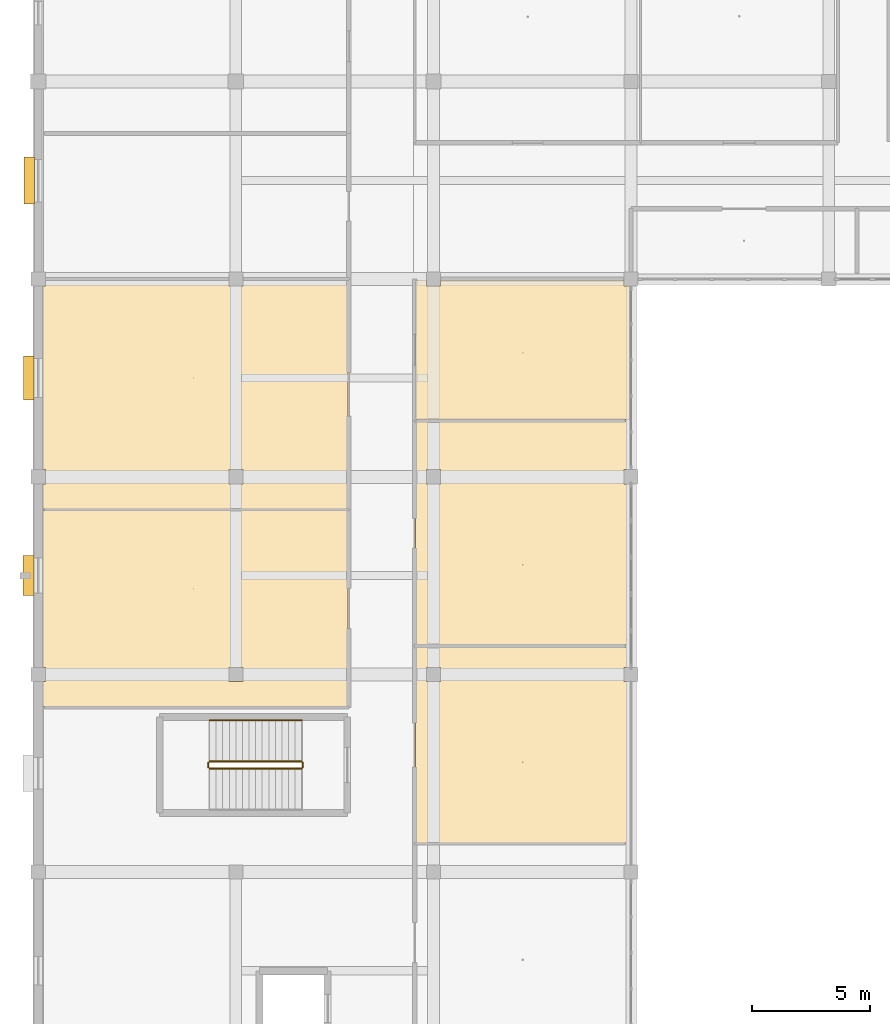
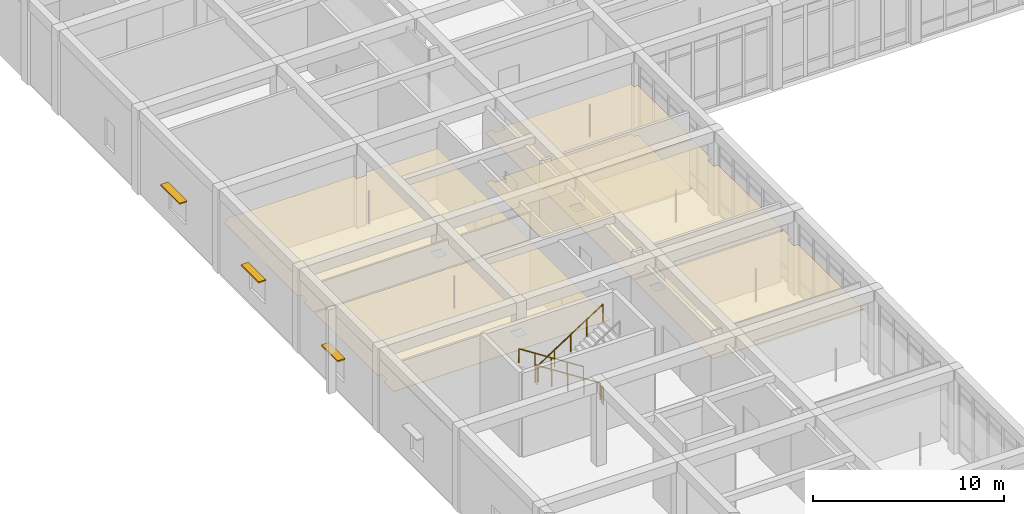
# One storey, part 137 of 157: 6 coverings, 5 railings, 3 shading devices.
"""IFC4 building model written with IfcOpenShell, lengths in metres."""

from ifc_helpers import new_model, si_unit, direction, frame, origin, origin_2d, place, context, subcontext, project, spatial, polyline, rectangle, circle, outline, extrude, material, layer, layer_set, type_object, element, save


model = new_model("IFC4")

# Units and contexts
model_context = context("Model", 3, precision=1e-05, world=origin(), true_north=direction((0.0, 1.0)))
body_context = subcontext(model_context, "Body", "Model", "MODEL_VIEW")
ifc_project = project(units=[si_unit("LENGTHUNIT", "METRE"), si_unit("AREAUNIT", "SQUARE_METRE"), si_unit("VOLUMEUNIT", "CUBIC_METRE"), si_unit("PLANEANGLEUNIT", "RADIAN"), si_unit("MASSUNIT", "GRAM", prefix="KILO")], contexts=[model_context])

# Site, building, storey
site_placement = place(None, origin())
site = spatial("IfcSite", under=ifc_project, at=site_placement, CompositionType="ELEMENT")
building_placement = place(site_placement, origin())
building = spatial("IfcBuilding", under=site, at=building_placement, Name="Varncliffe General Hospital", CompositionType="ELEMENT")
storey_placement = place(building_placement, frame((0.0, 0.0, 5.39990234375)))
storey = spatial("IfcBuildingStorey", under=building, at=storey_placement, Name="L01", CompositionType="ELEMENT", Elevation=5.39990234375)

# Coverings
ifc_material_1 = material(Name="Hygienic antimicrobial acoustic suspended ceiling tile", Category="gypsum")
ifc_layer_1 = layer(ifc_material_1, 0.02490234375)
ifc_layer_set_1 = layer_set([ifc_layer_1], Name="Hygienic antimicrobial acoustic suspended ceiling tile")
covering_type_1 = type_object("IfcCoveringType", Name="Antimicrobial Acoustic Suspended Ceiling CLG44", PredefinedType="CEILING", material=ifc_layer_set_1)
covering_1_placement = place(storey_placement, frame((0.0, 0.0, 3.175048828125)))
element("IfcCovering", 1, at=covering_1_placement, inside=storey, type_object=covering_type_1, Name="L01 Clinical Microbiology Laboratory 62 Suspended Ceiling", PredefinedType="CEILING", context=body_context, shape_type="SweptSolid", body=[
    extrude(outline(polyline([(0.0400390625, 72.9599609375), (13.159912109375, 72.9599609375), (13.159912109375, 64.639892578125), (0.0400390625, 64.639892578125), (0.0400390625, 65.699951171875), (0.300048828125, 65.699951171875), (0.300048828125, 66.300048828125), (0.0400390625, 66.300048828125), (0.0400390625, 72.9599609375)]), holes=[polyline([(8.699951171875, 65.699951171875), (8.699951171875, 66.300048828125), (8.10009765625, 66.300048828125), (8.10009765625, 65.699951171875), (8.699951171875, 65.699951171875)])]), origin(), (0.0, 0.0, 1.0), 0.025146484375),
])
covering_2_placement = place(storey_placement, frame((0.0, 0.0, 3.175048828125)))
element("IfcCovering", 2, at=covering_2_placement, inside=storey, type_object=covering_type_1, Name="L01 Clinical Pathology Laboratory 63 Suspended Ceiling", PredefinedType="CEILING", context=body_context, shape_type="SweptSolid", body=[
    extrude(outline(polyline([(13.159912109375, 73.0400390625), (0.0400390625, 73.0400390625), (0.0400390625, 74.10009765625), (0.300048828125, 74.10009765625), (0.300048828125, 74.699951171875), (0.0400390625, 74.699951171875), (0.0400390625, 82.5), (0.300048828125, 82.5), (0.300048828125, 82.760009765625), (8.10009765625, 82.760009765625), (8.10009765625, 82.5), (8.699951171875, 82.5), (8.699951171875, 82.760009765625), (13.159912109375, 82.760009765625), (13.159912109375, 73.0400390625)]), holes=[polyline([(8.699951171875, 74.10009765625), (8.699951171875, 74.699951171875), (8.10009765625, 74.699951171875), (8.10009765625, 74.10009765625), (8.699951171875, 74.10009765625)])]), origin(), (0.0, 0.0, 1.0), 0.025146484375),
])
covering_3_placement = place(storey_placement, frame((0.0, 0.0, 3.175048828125)))
element("IfcCovering", 3, at=covering_3_placement, inside=storey, type_object=covering_type_1, Name="L01 Clinical Microbiology Laboratory 66 Suspended Ceiling", PredefinedType="CEILING", context=body_context, shape_type="SweptSolid", body=[
    extrude(outline(polyline([(25.159912109375, 58.840087890625), (16.0400390625, 58.840087890625), (16.0400390625, 67.159912109375), (25.159912109375, 67.159912109375), (25.159912109375, 66.300048828125), (24.89990234375, 66.300048828125), (24.89990234375, 65.699951171875), (25.159912109375, 65.699951171875), (25.159912109375, 58.840087890625)]), holes=[polyline([(17.10009765625, 65.699951171875), (17.10009765625, 66.300048828125), (16.5, 66.300048828125), (16.5, 65.699951171875), (17.10009765625, 65.699951171875)])]), origin(), (0.0, 0.0, 1.0), 0.025146484375),
])
covering_4_placement = place(storey_placement, frame((0.0, 0.0, 3.175048828125)))
element("IfcCovering", 4, at=covering_4_placement, inside=storey, type_object=covering_type_1, Name="L01 Clinical Pathology Laboratory 67 Suspended Ceiling", PredefinedType="CEILING", context=body_context, shape_type="SweptSolid", body=[
    extrude(outline(polyline([(25.159912109375, 67.239990234375), (16.0400390625, 67.239990234375), (16.0400390625, 76.760009765625), (25.159912109375, 76.760009765625), (25.159912109375, 74.699951171875), (24.89990234375, 74.699951171875), (24.89990234375, 74.10009765625), (25.159912109375, 74.10009765625), (25.159912109375, 67.239990234375)]), holes=[polyline([(17.10009765625, 74.10009765625), (17.10009765625, 74.699951171875), (16.5, 74.699951171875), (16.5, 74.10009765625), (17.10009765625, 74.10009765625)])]), origin(), (0.0, 0.0, 1.0), 0.025146484375),
])
covering_5_placement = place(storey_placement, frame((0.0, 0.0, 3.175048828125)))
element("IfcCovering", 5, at=covering_5_placement, inside=storey, type_object=covering_type_1, Name="L01 Transfusion Blood Bank Laboratory 68 Suspended Ceiling", PredefinedType="CEILING", context=body_context, shape_type="SweptSolid", body=[
    extrude(outline(polyline([(25.159912109375, 76.840087890625), (16.0400390625, 76.840087890625), (16.0400390625, 82.760009765625), (16.5, 82.760009765625), (16.5, 82.5), (17.10009765625, 82.5), (17.10009765625, 82.760009765625), (24.89990234375, 82.760009765625), (24.89990234375, 82.5), (25.159912109375, 82.5), (25.159912109375, 76.840087890625)])), origin(), (0.0, 0.0, 1.0), 0.025146484375),
])

# Shading devices
ifc_material_2 = material(Name="Dark bronze extruded aluminium solar jalousie louvres", Category="aluminium")
ifc_layer_2 = layer(ifc_material_2, 0.080078125)
ifc_layer_set_2 = layer_set([ifc_layer_2], Name="Dark bronze extruded aluminium solar jalousie louvres")
shading_device_type = type_object("IfcShadingDeviceType", Name="Bronze Solar Jalousie Louvre Hood SHD18", PredefinedType="JALOUSIE", material=ifc_layer_set_2)
shading_device_1_placement = place(storey_placement, frame((-0.4150390625, 70.199951171875, 2.4599609375), z_axis=(0.0, 0.0, 1.0), x_axis=(0.0, 1.0, 0.0)))
element("IfcShadingDevice", 6, at=shading_device_1_placement, inside=storey, type_object=shading_device_type, Name="L01 Bronze Window Sun-Shading Louvre 24", PredefinedType="JALOUSIE", context=body_context, shape_type="SweptSolid", body=[
    extrude(rectangle(XDim=1.699951171875, YDim=0.449951171875, at=origin_2d()), origin(), (0.0, 0.0, 1.0), 0.080078125),
])
shading_device_2_placement = place(storey_placement, frame((-0.39990234375, 78.60009765625, 2.4599609375), z_axis=(0.0, 0.0, 1.0), x_axis=(0.0, 1.0, 0.0)))
element("IfcShadingDevice", 7, at=shading_device_2_placement, inside=storey, type_object=shading_device_type, Name="L01 Bronze Window Sun-Shading Louvre 25", PredefinedType="JALOUSIE", context=body_context, shape_type="SweptSolid", body=[
    extrude(rectangle(XDim=1.85009765625, YDim=0.449951171875, at=origin_2d()), origin(), (0.0, 0.0, 1.0), 0.080078125),
])
shading_device_3_placement = place(storey_placement, frame((-0.389892578125, 86.987548828125, 2.4599609375), z_axis=(0.0, 0.0, 1.0), x_axis=(0.0, 1.0, 0.0)))
element("IfcShadingDevice", 8, at=shading_device_3_placement, inside=storey, type_object=shading_device_type, Name="L01 Bronze Window Sun-Shading Louvre 26", PredefinedType="JALOUSIE", context=body_context, shape_type="SweptSolid", body=[
    extrude(rectangle(XDim=2.0, YDim=0.449951171875, at=origin_2d()), origin(), (0.0, 0.0, 1.0), 0.080078125),
])

# Covering
ifc_material_3 = material(Name="Seamless welded hospital sheet linoleum and terrazzo flooring", Category="linoleum")
ifc_layer_3 = layer(ifc_material_3, 0.011962890625)
ifc_layer_set_3 = layer_set([ifc_layer_3], Name="Seamless welded hospital sheet linoleum and terrazzo flooring")
covering_type_2 = type_object("IfcCoveringType", Name="Seamless Hospital Linoleum Flooring FLR19", PredefinedType="FLOORING", material=ifc_layer_set_3)
covering_6_placement = place(storey_placement, origin())
element("IfcCovering", 9, at=covering_6_placement, inside=storey, type_object=covering_type_2, Name="L01 Transfusion Blood Bank Laboratory 68 Seamless Flooring", PredefinedType="FLOORING", context=body_context, shape_type="SweptSolid", body=[
    extrude(outline(polyline([(25.159912109375, 76.840087890625), (16.0400390625, 76.840087890625), (16.0400390625, 82.760009765625), (16.5, 82.760009765625), (16.5, 82.5), (17.10009765625, 82.5), (17.10009765625, 82.760009765625), (24.89990234375, 82.760009765625), (24.89990234375, 82.5), (25.159912109375, 82.5), (25.159912109375, 76.840087890625)])), origin(), (0.0, 0.0, 1.0), 0.01220703125),
])

# Railings
ifc_material_4 = material(Name="Powder-coated hospital steel guardrail and handrail", Category="steel")
railing_type_1 = type_object("IfcRailingType", Name="Stair and Ramp Handrail HR46", PredefinedType="HANDRAIL", material=ifc_material_4)
railing_1_placement = place(storey_placement, frame((11.199951171875, 64.050048828125, 0.364013671875)))
element("IfcRailing", 10, at=railing_1_placement, inside=storey, type_object=railing_type_1, Name="L01 ST05 stair handrail 1", PredefinedType="HANDRAIL", context=body_context, shape_type="SweptSolid", body=[
    extrude(circle(Radius=0.02392578125, at=origin_2d()), frame((0.0, 0.0, 0.8759765625), z_axis=(-0.841171666519, 0.0, 0.540768182723), x_axis=(0.0, -1.0, 0.0)), (0.0, 0.0, 1.0), 4.66015625),
    extrude(circle(Radius=0.02099609375, at=origin_2d()), origin(), (0.0, 0.0, 1.0), 0.851806640625),
    extrude(circle(Radius=0.02099609375, at=origin_2d()), frame((-0.97998046875, 0.0, 0.6298828125)), (0.0, 0.0, 1.0), 0.851806640625),
    extrude(circle(Radius=0.02099609375, at=origin_2d()), frame((-1.9599609375, 0.0, 1.260009765625)), (0.0, 0.0, 1.0), 0.851806640625),
    extrude(circle(Radius=0.02099609375, at=origin_2d()), frame((-2.93994140625, 0.0, 1.89013671875)), (0.0, 0.0, 1.0), 0.851806640625),
    extrude(circle(Radius=0.02099609375, at=origin_2d()), frame((-3.919921875, 0.0, 2.52001953125)), (0.0, 0.0, 1.0), 0.851806640625),
])
railing_type_2 = type_object("IfcRailingType", Name="Stairwell Guardrail SG49", PredefinedType="GUARDRAIL", material=ifc_material_4)
railing_2_placement = place(storey_placement, frame((11.199951171875, 62.300048828125, 0.18017578125)))
element("IfcRailing", 11, at=railing_2_placement, inside=storey, type_object=railing_type_2, Name="L01 ST05 stair guard 1", PredefinedType="GUARDRAIL", context=body_context, shape_type="SweptSolid", body=[
    extrude(circle(Radius=0.02392578125, at=origin_2d()), frame((0.0, 0.0, 1.076171875), z_axis=(-0.841171666519, 0.0, 0.540768182723), x_axis=(0.0, -1.0, 0.0)), (0.0, 0.0, 1.0), 4.66015625),
    extrude(circle(Radius=0.02099609375, at=origin_2d()), origin(), (0.0, 0.0, 1.0), 1.052001953125),
    extrude(circle(Radius=0.02099609375, at=origin_2d()), frame((-0.97998046875, 0.0, 0.6298828125)), (0.0, 0.0, 1.0), 1.052001953125),
    extrude(circle(Radius=0.02099609375, at=origin_2d()), frame((-1.9599609375, 0.0, 1.260009765625)), (0.0, 0.0, 1.0), 1.052001953125),
    extrude(circle(Radius=0.02099609375, at=origin_2d()), frame((-2.93994140625, 0.0, 1.89013671875)), (0.0, 0.0, 1.0), 1.052001953125),
    extrude(circle(Radius=0.02099609375, at=origin_2d()), frame((-3.919921875, 0.0, 2.52001953125)), (0.0, 0.0, 1.0), 1.052001953125),
])
railing_3_placement = place(storey_placement, frame((7.22998046875, 62.25, 2.7001953125)))
element("IfcRailing", 12, at=railing_3_placement, inside=storey, type_object=railing_type_2, Name="L01 ST05 stair guard 2", PredefinedType="GUARDRAIL", context=body_context, shape_type="SweptSolid", body=[
    extrude(circle(Radius=0.02392578125, at=origin_2d()), frame((0.0, 0.0, 1.076171875), z_axis=(0.0, -1.0, 0.0), x_axis=(1.0, 0.0, 0.0)), (0.0, 0.0, 1.0), 0.199951171875),
    extrude(circle(Radius=0.02099609375, at=origin_2d()), origin(), (0.0, 0.0, 1.0), 1.052001953125),
    extrude(circle(Radius=0.02099609375, at=origin_2d()), frame((0.0, -0.199951171875, 0.0)), (0.0, 0.0, 1.0), 1.052001953125),
])
railing_4_placement = place(storey_placement, frame((7.280029296875, 62.0, 2.880126953125)))
element("IfcRailing", 13, at=railing_4_placement, inside=storey, type_object=railing_type_2, Name="L01 ST05 stair guard 3", PredefinedType="GUARDRAIL", context=body_context, shape_type="SweptSolid", body=[
    extrude(circle(Radius=0.02392578125, at=origin_2d()), frame((0.0, 0.0, 1.076171875), z_axis=(0.841171666519, 0.0, 0.540768182723), x_axis=(0.0, 1.0, 0.0)), (0.0, 0.0, 1.0), 4.66015625),
    extrude(circle(Radius=0.02099609375, at=origin_2d()), origin(), (0.0, 0.0, 1.0), 1.052001953125),
    extrude(circle(Radius=0.02099609375, at=origin_2d()), frame((0.97998046875, 0.0, 0.6298828125)), (0.0, 0.0, 1.0), 1.052001953125),
    extrude(circle(Radius=0.02099609375, at=origin_2d()), frame((1.9599609375, 0.0, 1.260009765625)), (0.0, 0.0, 1.0), 1.052001953125),
    extrude(circle(Radius=0.02099609375, at=origin_2d()), frame((2.93994140625, 0.0, 1.89013671875)), (0.0, 0.0, 1.0), 1.052001953125),
    extrude(circle(Radius=0.02099609375, at=origin_2d()), frame((3.919921875, 0.0, 2.52001953125)), (0.0, 0.0, 1.0), 1.052001953125),
])
railing_5_placement = place(storey_placement, frame((11.25, 62.25, 0.0)))
element("IfcRailing", 14, at=railing_5_placement, inside=storey, type_object=railing_type_2, Name="L01 ST05 stair guard 4", PredefinedType="GUARDRAIL", context=body_context, shape_type="SweptSolid", body=[
    extrude(circle(Radius=0.02392578125, at=origin_2d()), frame((0.0, 0.0, 1.076171875), z_axis=(0.0, -1.0, 0.0), x_axis=(1.0, 0.0, 0.0)), (0.0, 0.0, 1.0), 0.199951171875),
    extrude(circle(Radius=0.02099609375, at=origin_2d()), origin(), (0.0, 0.0, 1.0), 1.052001953125),
    extrude(circle(Radius=0.02099609375, at=origin_2d()), frame((0.0, -0.199951171875, 0.0)), (0.0, 0.0, 1.0), 1.052001953125),
])

save(model, "model.ifc")
